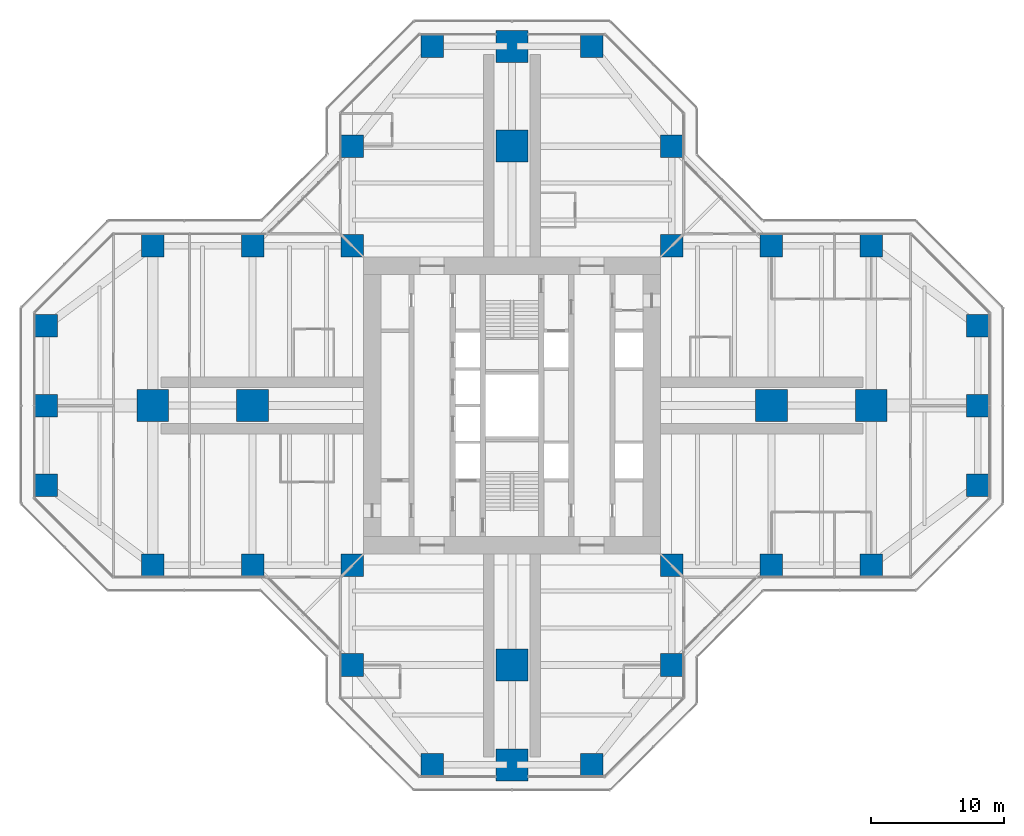
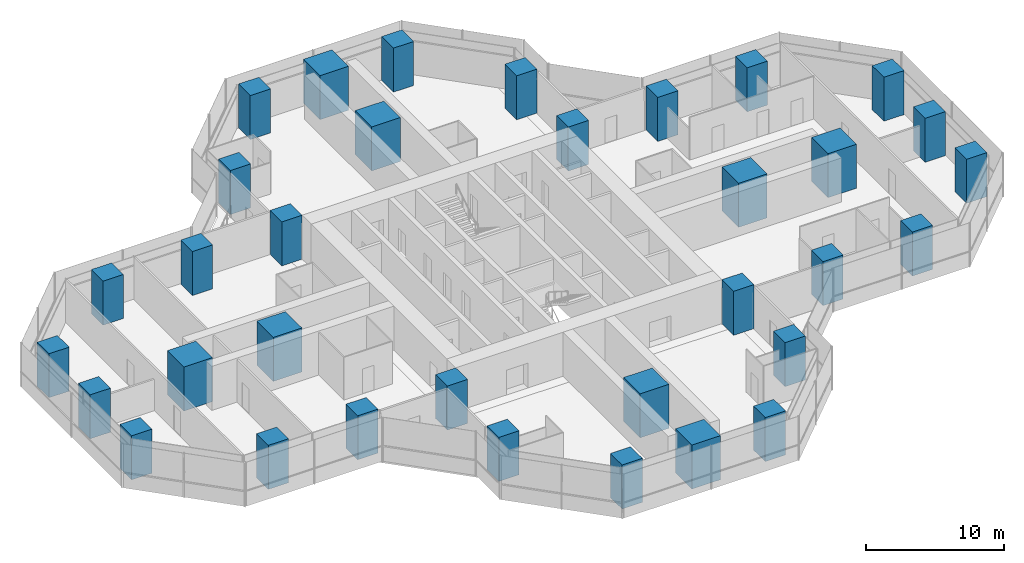
# One storey, part 1 of 20: 34 columns.
"""IFC4 building model written with IfcOpenShell, lengths in metres."""

from ifc_helpers import new_model, si_unit, direction, frame, origin, origin_2d, place, context, subcontext, project, spatial, rectangle, extrude, material, material_profile, profile_set, type_object, element, save


model = new_model("IFC4")

# Units and contexts
model_context = context("Model", 3, precision=1e-05, world=origin(), true_north=direction((0.0, 1.0)))
body_context = subcontext(model_context, "Body", "Model", "MODEL_VIEW")
ifc_project = project(units=[si_unit("LENGTHUNIT", "METRE"), si_unit("AREAUNIT", "SQUARE_METRE"), si_unit("VOLUMEUNIT", "CUBIC_METRE"), si_unit("PLANEANGLEUNIT", "RADIAN"), si_unit("MASSUNIT", "GRAM", prefix="KILO")], contexts=[model_context])

# Site, building, storey
site_placement = place(None, origin())
site = spatial("IfcSite", under=ifc_project, at=site_placement, CompositionType="ELEMENT")
building_placement = place(site_placement, origin())
building = spatial("IfcBuilding", under=site, at=building_placement, Name="Mizan Broadcast Tower", CompositionType="ELEMENT")
storey_placement = place(building_placement, frame((0.0, 0.0, 151.5)))
storey = spatial("IfcBuildingStorey", under=building, at=storey_placement, Name="L34", CompositionType="ELEMENT", Elevation=151.5)

# Columns
ifc_material_1 = material(Name="Concrete C70/85", Category="concrete")
ifc_material_profile_1 = material_profile(ifc_material_1, rectangle(XDim=1.699951171875, YDim=1.699951171875, at=origin_2d()), Name="RC 1700x1700")
ifc_profile_set_1 = profile_set([ifc_material_profile_1], Name="Concrete C70/85")
column_type_1 = type_object("IfcColumnType", Name="RC COLUMN 1700x1700 C70/85", PredefinedType="COLUMN", material=ifc_profile_set_1)
for number, where, z_axis, x_axis, name in (
    (1, (-6.0, -27.0, 0.0), (0.0, 0.0, 1.0), (1.0, 0.0, 0.0), "Column 5/B L34"),
    (2, (6.0, -27.0, 0.0), (0.0, 0.0, 1.0), (1.0, 0.0, 0.0), "Column 7/B L34"),
    (3, (-12.0, -19.5, 0.0), (0.0, 0.0, 1.0), (1.0, 0.0, 0.0), "Column 4/C L34"),
    (4, (12.0, -19.5, 0.0), (0.0, 0.0, 1.0), (1.0, 0.0, 0.0), "Column 8/C L34"),
    (5, (-27.0, -12.0, 0.0), (0.0, 0.0, 1.0), (1.0, 0.0, 0.0), "Column 2/D L34"),
    (6, (-19.5, -12.0, 0.0), (0.0, 0.0, 1.0), (1.0, 0.0, 0.0), "Column 3/D L34"),
    (7, (-12.0, -12.0, 0.0), (0.0, 0.0, 1.0), (1.0, 0.0, 0.0), "Column 4/D L34"),
    (8, (12.0, -12.0, 0.0), (0.0, 0.0, 1.0), (1.0, 0.0, 0.0), "Column 8/D L34"),
    (9, (19.5, -12.0, 0.0), (0.0, 0.0, 1.0), (1.0, 0.0, 0.0), "Column 9/D L34"),
    (10, (27.0, -12.0, 0.0), (0.0, 0.0, 1.0), (1.0, 0.0, 0.0), "Column 10/D L34"),
    (11, (-35.0, -6.0, 0.0), (0.0, 0.0, 1.0), (1.0, 0.0, 0.0), "Column 1/E L34"),
    (12, (35.0, -6.0, 0.0), (0.0, 0.0, 1.0), (1.0, 0.0, 0.0), "Column 11/E L34"),
    (13, (-35.0, 0.0, 0.0), (0.0, 0.0, 1.0), (1.0, 0.0, 0.0), "Column 1/F L34"),
    (14, (35.0, 0.0, 0.0), (0.0, 0.0, 1.0), (1.0, 0.0, 0.0), "Column 11/F L34"),
    (15, (-35.0, 6.0, 0.0), (0.0, 0.0, 1.0), (1.0, 0.0, 0.0), "Column 1/G L34"),
    (16, (35.0, 6.0, 0.0), (0.0, 0.0, 1.0), (1.0, 0.0, 0.0), "Column 11/G L34"),
    (17, (-27.0, 12.0, 0.0), (0.0, 0.0, 1.0), (1.0, 0.0, 0.0), "Column 2/H L34"),
    (18, (-19.5, 12.0, 0.0), (0.0, 0.0, 1.0), (1.0, 0.0, 0.0), "Column 3/H L34"),
    (19, (-12.0, 12.0, 0.0), (0.0, 0.0, 1.0), (1.0, 0.0, 0.0), "Column 4/H L34"),
    (20, (12.0, 12.0, 0.0), (0.0, 0.0, 1.0), (1.0, 0.0, 0.0), "Column 8/H L34"),
    (21, (19.5, 12.0, 0.0), (0.0, 0.0, 1.0), (1.0, 0.0, 0.0), "Column 9/H L34"),
    (22, (27.0, 12.0, 0.0), (0.0, 0.0, 1.0), (1.0, 0.0, 0.0), "Column 10/H L34"),
    (23, (-12.0, 19.5, 0.0), (0.0, 0.0, 1.0), (1.0, 0.0, 0.0), "Column 4/J L34"),
    (24, (12.0, 19.5, 0.0), (0.0, 0.0, 1.0), (1.0, 0.0, 0.0), "Column 8/J L34"),
    (25, (-6.0, 27.0, 0.0), (0.0, 0.0, 1.0), (1.0, 0.0, 0.0), "Column 5/K L34"),
    (26, (6.0, 27.0, 0.0), (0.0, 0.0, 1.0), (1.0, 0.0, 0.0), "Column 7/K L34"),
):
    element("IfcColumn", number, at=place(storey_placement, frame(where, z_axis=z_axis, x_axis=x_axis)), inside=storey, type_object=column_type_1, Name=name, PredefinedType="COLUMN", context=body_context, shape_type="SweptSolid", body=[
        extrude(rectangle(XDim=1.699951171875, YDim=1.699951171875, at=origin_2d()), origin(), (0.0, 0.0, 1.0), 3.89990234375),
    ])
ifc_material_2 = material(Name="Concrete C70/85", Category="concrete")
ifc_material_profile_2 = material_profile(ifc_material_2, rectangle(XDim=2.39990234375, YDim=2.39990234375, at=origin_2d()), Name="RC 2400x2400")
ifc_profile_set_2 = profile_set([ifc_material_profile_2], Name="Concrete C70/85")
column_type_2 = type_object("IfcColumnType", Name="RC COLUMN 2400x2400 C70/85", PredefinedType="COLUMN", material=ifc_profile_set_2)
for number, where, z_axis, x_axis, name in (
    (27, (0.0, -27.0, 0.0), (0.0, 0.0, 1.0), (1.0, 0.0, 0.0), "Column 6/B L34"),
    (28, (0.0, -19.5, 0.0), (0.0, 0.0, 1.0), (1.0, 0.0, 0.0), "Column 6/C L34"),
    (29, (-27.0, 0.0, 0.0), (0.0, 0.0, 1.0), (1.0, 0.0, 0.0), "Column 2/F L34"),
    (30, (-19.5, 0.0, 0.0), (0.0, 0.0, 1.0), (1.0, 0.0, 0.0), "Column 3/F L34"),
    (31, (19.5, 0.0, 0.0), (0.0, 0.0, 1.0), (1.0, 0.0, 0.0), "Column 9/F L34"),
    (32, (27.0, 0.0, 0.0), (0.0, 0.0, 1.0), (1.0, 0.0, 0.0), "Column 10/F L34"),
    (33, (0.0, 19.5, 0.0), (0.0, 0.0, 1.0), (1.0, 0.0, 0.0), "Column 6/J L34"),
    (34, (0.0, 27.0, 0.0), (0.0, 0.0, 1.0), (1.0, 0.0, 0.0), "Column 6/K L34"),
):
    element("IfcColumn", number, at=place(storey_placement, frame(where, z_axis=z_axis, x_axis=x_axis)), inside=storey, type_object=column_type_2, Name=name, PredefinedType="COLUMN", context=body_context, shape_type="SweptSolid", body=[
        extrude(rectangle(XDim=2.39990234375, YDim=2.39990234375, at=origin_2d()), origin(), (0.0, 0.0, 1.0), 3.89990234375),
    ])

save(model, "model.ifc")
